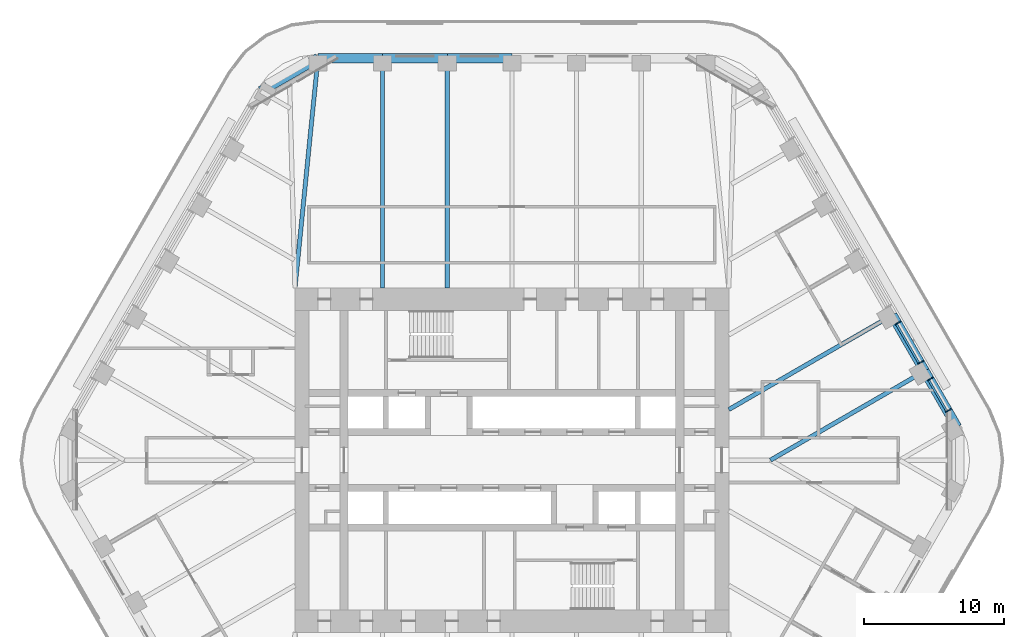
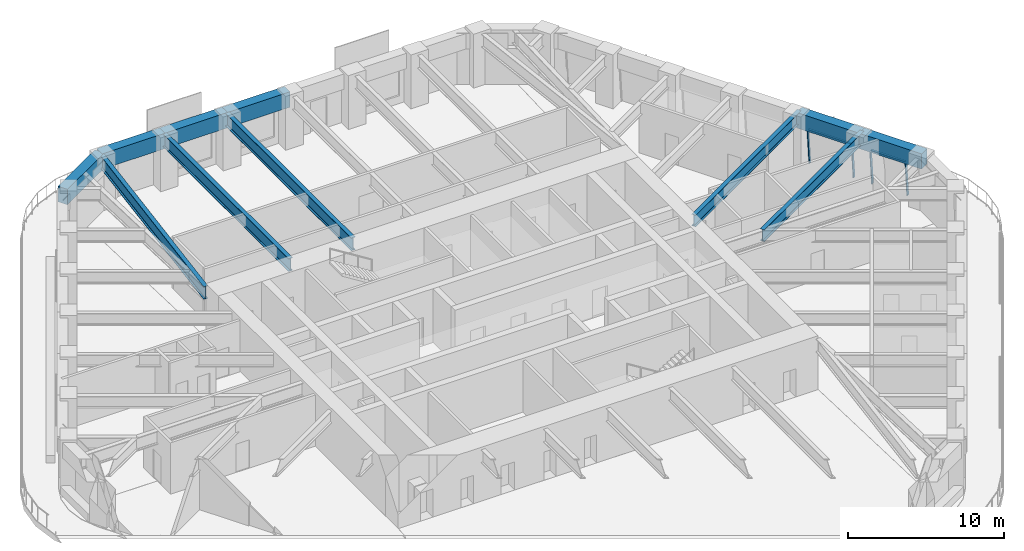
# One storey, part 9 of 20: 11 beams, 6 members, 2 elements without a shape of their own.
"""IFC4 building model written with IfcOpenShell, lengths in metres."""

from ifc_helpers import new_model, si_unit, direction, frame, origin, origin_2d, place, context, subcontext, project, spatial, rectangle, i_section, extrude, material, material_profile, profile_set, type_object, element, aggregate, save


model = new_model("IFC4")

# Units and contexts
model_context = context("Model", 3, precision=1e-05, world=origin(), true_north=direction((0.0, 1.0)))
body_context = subcontext(model_context, "Body", "Model", "MODEL_VIEW")
ifc_project = project(units=[si_unit("LENGTHUNIT", "METRE"), si_unit("AREAUNIT", "SQUARE_METRE"), si_unit("VOLUMEUNIT", "CUBIC_METRE"), si_unit("PLANEANGLEUNIT", "RADIAN"), si_unit("MASSUNIT", "GRAM", prefix="KILO")], contexts=[model_context])

# Site, building, storey
site_placement = place(None, origin())
site = spatial("IfcSite", under=ifc_project, at=site_placement, CompositionType="ELEMENT")
building_placement = place(site_placement, origin())
building = spatial("IfcBuilding", under=site, at=building_placement, Name="Tarfa Lantern Tower", CompositionType="ELEMENT")
storey_placement = place(building_placement, frame((0.0, 0.0, 253.300048828125)))
storey = spatial("IfcBuildingStorey", under=building, at=storey_placement, Name="L57", CompositionType="ELEMENT", Elevation=253.300048828125)

# Curtain wall, members
ifc_material_1 = material(Name="Aluminium framed curtain wall", Category="aluminium")
curtain_wall_type = type_object("IfcCurtainWallType", Name="CW3 CANTED GLAZING HIGH ZONE 2800", PredefinedType="USERDEFINED", material=ifc_material_1)
curtain_wall_1_placement = place(storey_placement, origin())
curtain_wall_1 = element("IfcCurtainWall", 1, at=curtain_wall_1_placement, inside=storey, type_object=curtain_wall_type, Name="CW3 NE L57", ObjectType="CURTAIN WALL", PredefinedType="USERDEFINED")
ifc_material_2 = material(Name="Aluminium mullion", Category="aluminium")
ifc_material_profile_1 = material_profile(ifc_material_2, rectangle(XDim=0.06494140625, YDim=0.199951171875, at=origin_2d()), Name="AL MULLION 65x200")
ifc_profile_set_1 = profile_set([ifc_material_profile_1], Name="Aluminium mullion")
member_type_1 = type_object("IfcMemberType", Name="CWM1 MULLION 65x200", PredefinedType="MULLION", material=ifc_profile_set_1)
member_1_placement = place(storey_placement, frame((31.2900390625, 3.60400390625, 0.0), z_axis=(-0.077032386753, -0.044465143199, 0.996036576854), x_axis=(0.499919672301, -0.866071776036, 0.0)))
member_1 = element("IfcMember", 2, at=member_1_placement, type_object=member_type_1, Name="CW3 mullion 1", PredefinedType="MULLION", context=body_context, shape_type="SweptSolid", body=[
    extrude(rectangle(XDim=0.06494140625, YDim=0.199951171875, at=origin_2d()), origin(), (0.0, 0.0, 1.0), 2.811279296875),
])
member_2_placement = place(storey_placement, frame((29.98828125, 5.85888671875, 0.0), z_axis=(-0.077032386753, -0.044465143199, 0.996036576854), x_axis=(0.499919672301, -0.866071776036, 0.0)))
member_2 = element("IfcMember", 3, at=member_2_placement, type_object=member_type_1, Name="CW3 mullion 2", PredefinedType="MULLION", context=body_context, shape_type="SweptSolid", body=[
    extrude(rectangle(XDim=0.06494140625, YDim=0.199951171875, at=origin_2d()), origin(), (0.0, 0.0, 1.0), 2.811279296875),
])

curtain_wall_2_placement = place(storey_placement, origin())
curtain_wall_2 = element("IfcCurtainWall", 4, at=curtain_wall_2_placement, inside=storey, type_object=curtain_wall_type, Name="CW3 NE L57", ObjectType="CURTAIN WALL", PredefinedType="USERDEFINED")
member_3_placement = place(storey_placement, frame((29.3056640625, 7.041015625, 0.0), z_axis=(-0.077032386753, -0.044465143199, 0.996036576854), x_axis=(0.499919672301, -0.866071776036, 0.0)))
member_3 = element("IfcMember", 5, at=member_3_placement, type_object=member_type_1, Name="CW3 mullion 1", PredefinedType="MULLION", context=body_context, shape_type="SweptSolid", body=[
    extrude(rectangle(XDim=0.06494140625, YDim=0.199951171875, at=origin_2d()), origin(), (0.0, 0.0, 1.0), 2.811279296875),
])
member_4_placement = place(storey_placement, frame((27.6787109375, 9.85888671875, 0.0), z_axis=(-0.077032386753, -0.044465143199, 0.996036576854), x_axis=(0.499919672301, -0.866071776036, 0.0)))
member_4 = element("IfcMember", 6, at=member_4_placement, type_object=member_type_1, Name="CW3 mullion 2", PredefinedType="MULLION", context=body_context, shape_type="SweptSolid", body=[
    extrude(rectangle(XDim=0.06494140625, YDim=0.199951171875, at=origin_2d()), origin(), (0.0, 0.0, 1.0), 2.811279296875),
])

# Member
ifc_material_3 = material(Name="Aluminium transom", Category="aluminium")
ifc_material_profile_2 = material_profile(ifc_material_3, rectangle(XDim=0.14990234375, YDim=0.06494140625, at=origin_2d()), Name="AL TRANSOM 150x65")
ifc_profile_set_2 = profile_set([ifc_material_profile_2], Name="Aluminium transom")
member_type_2 = type_object("IfcMemberType", Name="CWT1 TRANSOM 150x65", PredefinedType="USERDEFINED", material=ifc_profile_set_2)
member_5_placement = place(storey_placement, frame((31.059814453125, 3.508544921875, 2.767333984375), z_axis=(-0.499955533855, 0.866051074803, 0.0), x_axis=(-0.866051074803, -0.499955533855, 0.0)))
member_5 = element("IfcMember", 7, at=member_5_placement, type_object=member_type_2, Name="CW3 transom 1.2", ObjectType="TRANSOM", PredefinedType="USERDEFINED", context=body_context, shape_type="SweptSolid", body=[
    extrude(rectangle(XDim=0.14990234375, YDim=0.06494140625, at=origin_2d()), origin(), (0.0, 0.0, 1.0), 2.538818359375),
])

aggregate(curtain_wall_1, [member_1, member_2, member_5])

member_6_placement = place(storey_placement, frame((29.075439453125, 6.945556640625, 2.767333984375), z_axis=(-0.500000789788, 0.8660249478, 0.0), x_axis=(-0.8660249478, -0.500000789788, 0.0)))
member_6 = element("IfcMember", 8, at=member_6_placement, type_object=member_type_2, Name="CW3 transom 1.2", ObjectType="TRANSOM", PredefinedType="USERDEFINED", context=body_context, shape_type="SweptSolid", body=[
    extrude(rectangle(XDim=0.14990234375, YDim=0.06494140625, at=origin_2d()), origin(), (0.0, 0.0, 1.0), 3.18896484375),
])

aggregate(curtain_wall_2, [member_3, member_4, member_6])

# Beams
ifc_material_4 = material(Name="Concrete C80/95", Category="concrete")
ifc_material_profile_3 = material_profile(ifc_material_4, rectangle(XDim=0.699951171875, YDim=1.199951171875, at=origin_2d()), Name="RC 700x1200")
ifc_profile_set_3 = profile_set([ifc_material_profile_3], Name="Concrete C80/95")
beam_type_1 = type_object("IfcBeamType", Name="EB3 RC 700x1200", PredefinedType="SPANDREL", material=ifc_profile_set_3)
beam_1_placement = place(storey_placement, frame((31.800537109375, 2.360107421875, 3.39990234375), z_axis=(-0.500027479704, 0.866009537788, 0.0), x_axis=(-0.866009537788, -0.500027479704, 0.0)))
element("IfcBeam", 9, at=beam_1_placement, inside=storey, type_object=beam_type_1, Name="Edge beam NE0", PredefinedType="SPANDREL", context=body_context, shape_type="SweptSolid", body=[
    extrude(rectangle(XDim=0.699951171875, YDim=1.199951171875, at=origin_2d()), origin(), (0.0, 0.0, 1.0), 4.618896484375),
])
beam_2_placement = place(storey_placement, frame((29.490966796875, 6.360107421875, 3.39990234375), z_axis=(-0.499987836815, 0.866032426089, 0.0), x_axis=(-0.866032426089, -0.499987836815, 0.0)))
element("IfcBeam", 10, at=beam_2_placement, inside=storey, type_object=beam_type_1, Name="Edge beam NE1", PredefinedType="SPANDREL", context=body_context, shape_type="SweptSolid", body=[
    extrude(rectangle(XDim=0.699951171875, YDim=1.199951171875, at=origin_2d()), origin(), (0.0, 0.0, 1.0), 4.61865234375),
])
beam_3_placement = place(storey_placement, frame((0.0, 28.719970703125, 3.39990234375), z_axis=(-1.0, 0.0, 0.0), x_axis=(0.0, -1.0, 0.0)))
element("IfcBeam", 11, at=beam_3_placement, inside=storey, type_object=beam_type_1, Name="Edge beam N3", PredefinedType="SPANDREL", context=body_context, shape_type="SweptSolid", body=[
    extrude(rectangle(XDim=0.699951171875, YDim=1.199951171875, at=origin_2d()), origin(), (0.0, 0.0, 1.0), 4.618896484375),
])
beam_4_placement = place(storey_placement, frame((-4.618896484375, 28.719970703125, 3.39990234375), z_axis=(-1.0, 0.0, 0.0), x_axis=(0.0, -1.0, 0.0)))
element("IfcBeam", 12, at=beam_4_placement, inside=storey, type_object=beam_type_1, Name="Edge beam N4", PredefinedType="SPANDREL", context=body_context, shape_type="SweptSolid", body=[
    extrude(rectangle(XDim=0.699951171875, YDim=1.199951171875, at=origin_2d()), origin(), (0.0, 0.0, 1.0), 4.61865234375),
])
beam_5_placement = place(storey_placement, frame((-9.237548828125, 28.719970703125, 3.39990234375), z_axis=(-1.0, 0.0, 0.0), x_axis=(0.0, -1.0, 0.0)))
element("IfcBeam", 13, at=beam_5_placement, inside=storey, type_object=beam_type_1, Name="Edge beam N5", PredefinedType="SPANDREL", context=body_context, shape_type="SweptSolid", body=[
    extrude(rectangle(XDim=0.699951171875, YDim=1.199951171875, at=origin_2d()), origin(), (0.0, 0.0, 1.0), 4.618896484375),
])
beam_6_placement = place(storey_placement, frame((-13.8564453125, 28.719970703125, 3.39990234375), z_axis=(-0.866038294681, -0.499977671647, 0.0), x_axis=(0.499977671647, -0.866038294681, 0.0)))
element("IfcBeam", 14, at=beam_6_placement, inside=storey, type_object=beam_type_1, Name="Edge beam N6", PredefinedType="SPANDREL", context=body_context, shape_type="SweptSolid", body=[
    extrude(rectangle(XDim=0.699951171875, YDim=1.199951171875, at=origin_2d()), origin(), (0.0, 0.0, 1.0), 4.719970703125),
])
ifc_material_5 = material(Name="Steel S460M", Category="steel")
ifc_material_profile_4 = material_profile(ifc_material_5, i_section(OverallWidth=0.302001953125, OverallDepth=1.008056640625, WebThickness=0.02099609375, FlangeThickness=0.0400390625, FilletRadius=0.030029296875, at=origin_2d()), Name="UB1016x305x349")
ifc_profile_set_4 = profile_set([ifc_material_profile_4], Name="Steel S460M")
beam_type_2 = type_object("IfcBeamType", Name="UB1016x305x349", PredefinedType="BEAM", material=ifc_profile_set_4)
for number, where, z_axis, x_axis, name in (
    (15, (-4.618896484375, 28.719970703125, 3.495849609375), (0.0, -1.0, 0.0), (1.0, 0.0, 0.0), "Floor beam N4"),
    (16, (-9.237548828125, 28.719970703125, 3.495849609375), (0.0, -1.0, 0.0), (1.0, 0.0, 0.0), "Floor beam N5"),
):
    element("IfcBeam", number, at=place(storey_placement, frame(where, z_axis=z_axis, x_axis=x_axis)), inside=storey, type_object=beam_type_2, Name=name, PredefinedType="BEAM", context=body_context, shape_type="SweptSolid", body=[
        extrude(i_section(OverallWidth=0.302001953125, OverallDepth=1.008056640625, WebThickness=0.02099609375, FlangeThickness=0.0400390625, FilletRadius=0.030029296875, at=origin_2d()), origin(), (0.0, 0.0, 1.0), 16.419921875),
    ])
beam_7_placement = place(storey_placement, frame((-13.8564453125, 28.719970703125, 3.495849609375), z_axis=(-0.099597466746, -0.995027810977, 0.0), x_axis=(0.995027810977, -0.099597466746, 0.0)))
element("IfcBeam", 17, at=beam_7_placement, inside=storey, type_object=beam_type_2, Name="Floor beam N6", PredefinedType="BEAM", context=body_context, shape_type="SweptSolid", body=[
    extrude(i_section(OverallWidth=0.302001953125, OverallDepth=1.008056640625, WebThickness=0.02099609375, FlangeThickness=0.0400390625, FilletRadius=0.030029296875, at=origin_2d()), origin(), (0.0, 0.0, 1.0), 16.501953125),
])
ifc_material_profile_5 = material_profile(ifc_material_5, i_section(OverallWidth=0.305419921875, OverallDepth=0.91845703125, WebThickness=0.017333984375, FlangeThickness=0.02783203125, FilletRadius=0.01904296875, at=origin_2d()), Name="UB914x305x253")
ifc_profile_set_5 = profile_set([ifc_material_profile_5], Name="Steel S460M")
beam_type_3 = type_object("IfcBeamType", Name="UB914x305x253", PredefinedType="BEAM", material=ifc_profile_set_5)
beam_8_placement = place(storey_placement, frame((29.490966796875, 6.360107421875, 3.540771484375), z_axis=(-0.866022258038, -0.500005448553, 0.0), x_axis=(0.500005448553, -0.866022258038, 0.0)))
element("IfcBeam", 18, at=beam_8_placement, inside=storey, type_object=beam_type_3, Name="Floor beam NE1", PredefinedType="BEAM", context=body_context, shape_type="SweptSolid", body=[
    extrude(i_section(OverallWidth=0.305419921875, OverallDepth=0.91845703125, WebThickness=0.017333984375, FlangeThickness=0.02783203125, FilletRadius=0.01904296875, at=origin_2d()), origin(), (0.0, 0.0, 1.0), 12.719970703125),
])
beam_9_placement = place(storey_placement, frame((27.181640625, 10.360107421875, 3.540771484375), z_axis=(-0.866018002818, -0.500012818631, 0.0), x_axis=(0.500012818631, -0.866018002818, 0.0)))
element("IfcBeam", 19, at=beam_9_placement, inside=storey, type_object=beam_type_3, Name="Floor beam NE2", PredefinedType="BEAM", context=body_context, shape_type="SweptSolid", body=[
    extrude(i_section(OverallWidth=0.305419921875, OverallDepth=0.91845703125, WebThickness=0.017333984375, FlangeThickness=0.02783203125, FilletRadius=0.01904296875, at=origin_2d()), origin(), (0.0, 0.0, 1.0), 13.489013671875),
])

save(model, "model.ifc")
